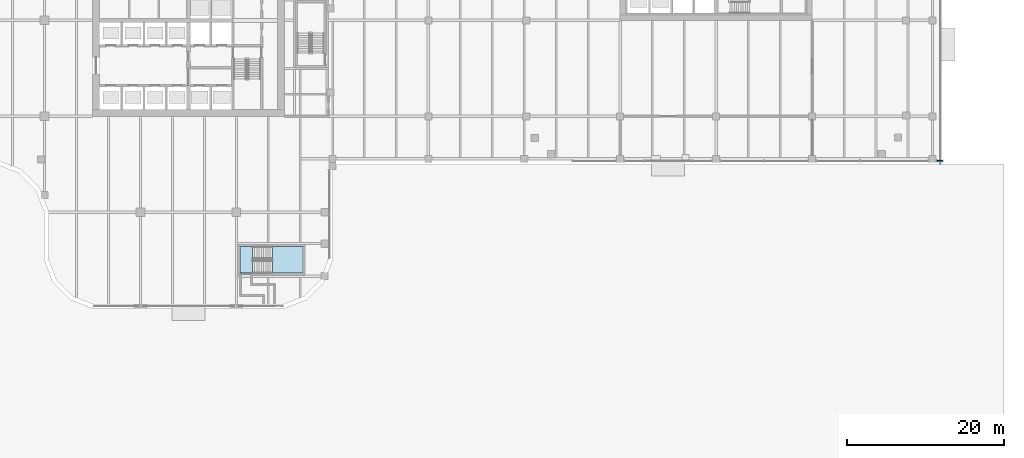
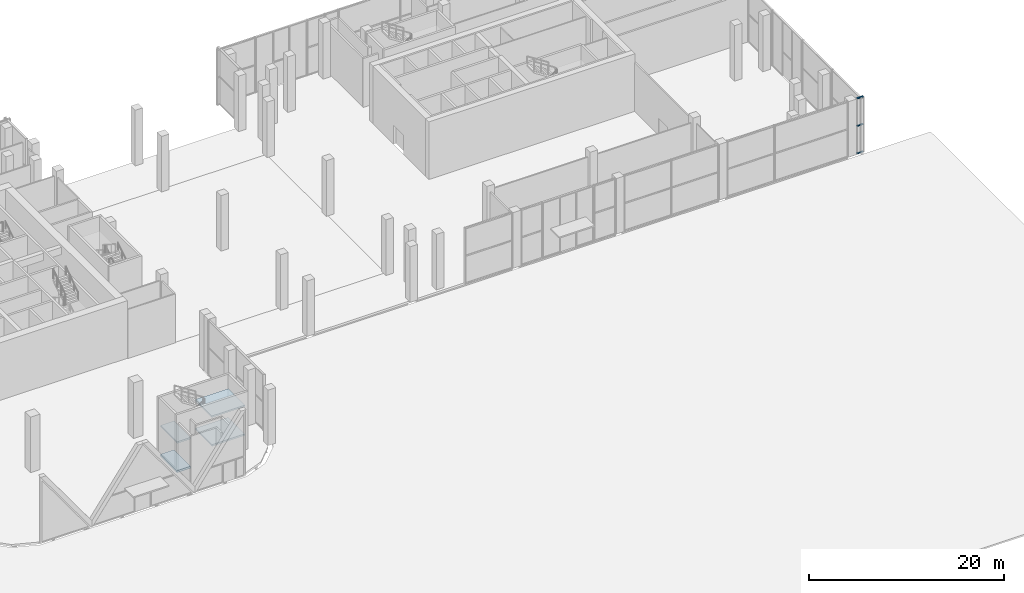
# One storey, part 12 of 36: 4 slabs, 3 members, 2 elements without a shape of their own.
"""IFC4 building model written with IfcOpenShell, lengths in metres."""

from ifc_helpers import new_model, si_unit, direction, frame, origin, origin_2d, place, context, subcontext, project, spatial, polyline, rectangle, outline, extrude, material, layer, layer_set, material_profile, profile_set, type_object, element, aggregate, save


model = new_model("IFC4")

# Units and contexts
model_context = context("Model", 3, precision=1e-05, world=origin(), true_north=direction((0.0, 1.0)))
body_context = subcontext(model_context, "Body", "Model", "MODEL_VIEW")
ifc_project = project(units=[si_unit("LENGTHUNIT", "METRE"), si_unit("AREAUNIT", "SQUARE_METRE"), si_unit("VOLUMEUNIT", "CUBIC_METRE"), si_unit("PLANEANGLEUNIT", "RADIAN"), si_unit("MASSUNIT", "GRAM", prefix="KILO")], contexts=[model_context])

# Site, building, storey
site_placement = place(None, origin())
site = spatial("IfcSite", under=ifc_project, at=site_placement, CompositionType="ELEMENT")
building_placement = place(site_placement, origin())
building = spatial("IfcBuilding", under=site, at=building_placement, Name="Tessera Gate Towers", CompositionType="ELEMENT")
storey_placement = place(building_placement, origin())
storey = spatial("IfcBuildingStorey", under=building, at=storey_placement, Name="L00", CompositionType="ELEMENT", Elevation=0.0)

# Curtain wall, members
ifc_material_1 = material(Name="Aluminium frame", Category="aluminium")
curtain_wall_type = type_object("IfcCurtainWallType", Name="CW-S6 ground floor glazing", PredefinedType="NOTDEFINED", material=ifc_material_1)
curtain_wall_placement = place(storey_placement, origin())
curtain_wall = element("IfcCurtainWall", 1, at=curtain_wall_placement, inside=storey, type_object=curtain_wall_type, Name="Curtain wall ground floor glazing 0170", PredefinedType="NOTDEFINED")
ifc_material_2 = material(Name="Aluminium frame", Category="aluminium")
ifc_material_profile = material_profile(ifc_material_2, rectangle(XDim=0.199951171875, YDim=0.080078125, at=origin_2d()), Name="AL 80x200")
ifc_profile_set = profile_set([ifc_material_profile], Name="Aluminium frame")
member_type = type_object("IfcMemberType", Name="TR-S6 transom 80x200", PredefinedType="USERDEFINED", material=ifc_profile_set)
member_1_placement = place(storey_placement, frame((137.8701171875, 18.699951171875, 0.0400390625), z_axis=(1.0, 0.0, 0.0), x_axis=(0.0, 1.0, 0.0)))
member_1 = element("IfcMember", 2, at=member_1_placement, type_object=member_type, Name="PD-CW6-0170 transom 1.1", ObjectType="TRANSOM", PredefinedType="USERDEFINED", context=body_context, shape_type="SweptSolid", body=[
    extrude(rectangle(XDim=0.199951171875, YDim=0.080078125, at=origin_2d()), origin(), (0.0, 0.0, 1.0), 0.75),
])
member_2_placement = place(storey_placement, frame((137.8701171875, 18.699951171875, 3.47509765625), z_axis=(1.0, 0.0, 0.0), x_axis=(0.0, 1.0, 0.0)))
member_2 = element("IfcMember", 3, at=member_2_placement, type_object=member_type, Name="PD-CW6-0170 transom 1.2", ObjectType="TRANSOM", PredefinedType="USERDEFINED", context=body_context, shape_type="SweptSolid", body=[
    extrude(rectangle(XDim=0.199951171875, YDim=0.080078125, at=origin_2d()), origin(), (0.0, 0.0, 1.0), 0.75),
])
member_3_placement = place(storey_placement, frame((137.8701171875, 18.699951171875, 6.909912109375), z_axis=(1.0, 0.0, 0.0), x_axis=(0.0, 1.0, 0.0)))
member_3 = element("IfcMember", 4, at=member_3_placement, type_object=member_type, Name="PD-CW6-0170 transom 1.3", ObjectType="TRANSOM", PredefinedType="USERDEFINED", context=body_context, shape_type="SweptSolid", body=[
    extrude(rectangle(XDim=0.199951171875, YDim=0.080078125, at=origin_2d()), origin(), (0.0, 0.0, 1.0), 0.75),
])
aggregate(curtain_wall, [member_1, member_2, member_3])

# Slab
ifc_material_3 = material(Name="Concrete C35/45", Category="concrete")
ifc_layer_1 = layer(ifc_material_3, 0.25)
ifc_layer_set_1 = layer_set([ifc_layer_1], Name="CORE FLOOR SLAB 250")
slab_type_1 = type_object("IfcSlabType", Name="CORE FLOOR SLAB 250", PredefinedType="FLOOR", material=ifc_layer_set_1)
slab_1_placement = place(storey_placement, frame((0.0, 0.0, -0.25)))
element("IfcSlab", 5, at=slab_1_placement, inside=storey, type_object=slab_type_1, Name="L00 ST4 floor landing", PredefinedType="FLOOR", context=body_context, shape_type="SweptSolid", body=[
    extrude(outline(polyline([(49.25, 4.449951171875), (50.85009765625, 4.449951171875), (50.85009765625, 7.85009765625), (49.25, 7.85009765625), (49.25, 4.449951171875)])), origin(), (0.0, 0.0, 1.0), 0.25),
])

# Stair, slabs
ifc_material_4 = material(Name="Concrete C40/50", Category="concrete")
stair_type = type_object("IfcStairType", Name="EXIT STAIR ST4D 1600", PredefinedType="HALF_TURN_STAIR", material=ifc_material_4)
stair_placement = place(storey_placement, origin())
stair = element("IfcStair", 6, at=stair_placement, inside=storey, type_object=stair_type, Name="L00 South Exit Stair ST4", PredefinedType="HALF_TURN_STAIR")
ifc_material_5 = material(Name="Concrete C40/50", Category="concrete")
ifc_layer_2 = layer(ifc_material_5, 0.199951171875)
ifc_layer_set_2 = layer_set([ifc_layer_2], Name="EXIT STAIR LANDING 200")
slab_type_2 = type_object("IfcSlabType", Name="EXIT STAIR LANDING 200", PredefinedType="LANDING", material=ifc_layer_set_2)
slab_2_placement = place(storey_placement, frame((0.0, 0.0, 1.60009765625)))
slab_2 = element("IfcSlab", 7, at=slab_2_placement, type_object=slab_type_2, Name="ST4 landing 1", PredefinedType="LANDING", context=body_context, shape_type="SweptSolid", body=[
    extrude(outline(polyline([(53.3701171875, 4.449951171875), (57.25, 4.449951171875), (57.25, 7.85009765625), (53.3701171875, 7.85009765625), (53.3701171875, 4.449951171875)])), origin(), (0.0, 0.0, 1.0), 0.199951171875),
])
slab_3_placement = place(storey_placement, frame((0.0, 0.0, 3.39990234375)))
slab_3 = element("IfcSlab", 8, at=slab_3_placement, type_object=slab_type_2, Name="ST4 landing 2", PredefinedType="LANDING", context=body_context, shape_type="SweptSolid", body=[
    extrude(outline(polyline([(49.25, 4.449951171875), (50.85009765625, 4.449951171875), (50.85009765625, 7.85009765625), (49.25, 7.85009765625), (49.25, 4.449951171875)])), origin(), (0.0, 0.0, 1.0), 0.2001953125),
])
slab_4_placement = place(storey_placement, frame((0.0, 0.0, 5.199951171875)))
slab_4 = element("IfcSlab", 9, at=slab_4_placement, type_object=slab_type_2, Name="ST4 landing 3", PredefinedType="LANDING", context=body_context, shape_type="SweptSolid", body=[
    extrude(outline(polyline([(53.3701171875, 4.449951171875), (57.25, 4.449951171875), (57.25, 7.85009765625), (53.3701171875, 7.85009765625), (53.3701171875, 4.449951171875)])), origin(), (0.0, 0.0, 1.0), 0.199951171875),
])
aggregate(stair, [slab_2, slab_3, slab_4])

save(model, "model.ifc")
